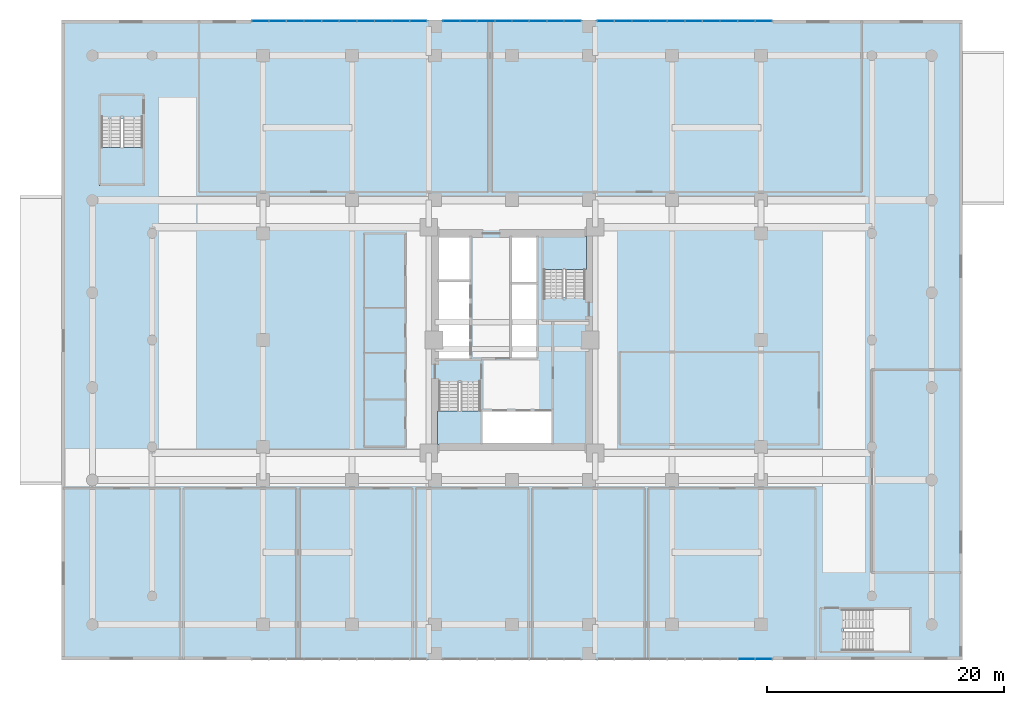
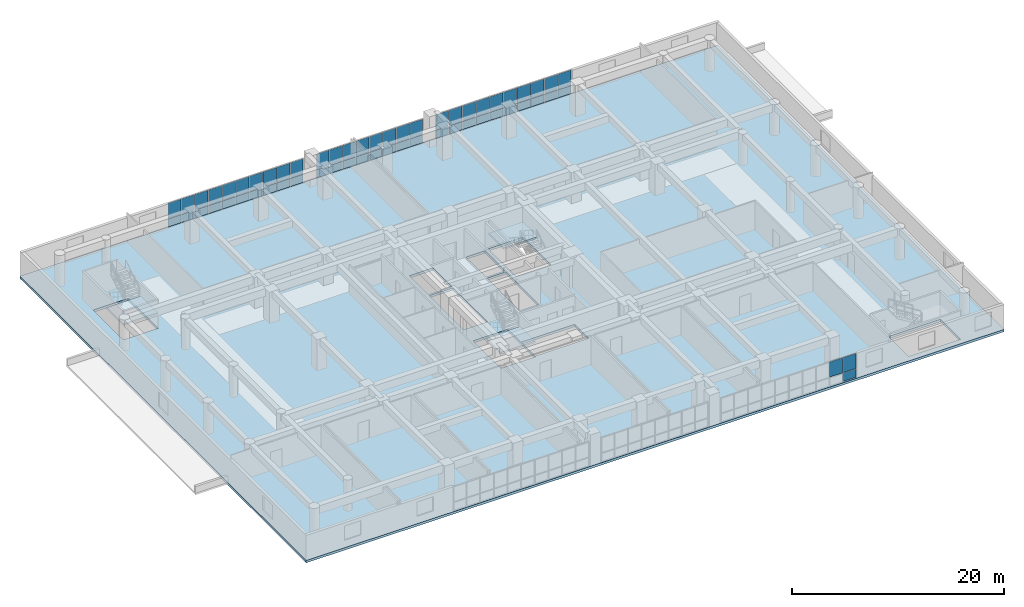
# One storey, part 13 of 27: 59 plates, 4 slabs, 7 elements without a shape of their own.
"""IFC4 building model written with IfcOpenShell, lengths in metres."""

from ifc_helpers import new_model, si_unit, direction, frame, origin, origin_2d, place, context, subcontext, project, spatial, polyline, rectangle, outline, extrude, source, transform, mapped, material, layer, layer_set, type_object, element, aggregate, save


model = new_model("IFC4")

# Units and contexts
model_context = context("Model", 3, precision=1e-05, world=origin(), true_north=direction((0.0, 1.0)))
body_context = subcontext(model_context, "Body", "Model", "MODEL_VIEW")
ifc_project = project(units=[si_unit("LENGTHUNIT", "METRE"), si_unit("AREAUNIT", "SQUARE_METRE"), si_unit("VOLUMEUNIT", "CUBIC_METRE"), si_unit("PLANEANGLEUNIT", "RADIAN"), si_unit("MASSUNIT", "GRAM", prefix="KILO")], contexts=[model_context])

# Site, building, storey
site_placement = place(None, origin())
site = spatial("IfcSite", under=ifc_project, at=site_placement, CompositionType="ELEMENT")
building_placement = place(site_placement, origin())
building = spatial("IfcBuilding", under=site, at=building_placement, Name="Saelheon Loggia Tower", CompositionType="ELEMENT")
storey_placement = place(building_placement, frame((0.0, 0.0, 4.199951171875)))
storey = spatial("IfcBuildingStorey", under=building, at=storey_placement, Name="L01", CompositionType="ELEMENT", Elevation=4.199951171875)

# Slab
ifc_material_1 = material(Name="Concrete C40/50", Category="concrete")
ifc_layer_1 = layer(ifc_material_1, 0.280029296875)
ifc_layer_set_1 = layer_set([ifc_layer_1], Name="Concrete C40/50")
slab_type_1 = type_object("IfcSlabType", Name="Slab_Podium_280", PredefinedType="FLOOR", material=ifc_layer_set_1)
slab_1_placement = place(storey_placement, frame((0.0, 0.0, -0.280029296875)))
element("IfcSlab", 1, at=slab_1_placement, inside=storey, type_object=slab_type_1, Name="L01 Podium Clinic Floor Slab", PredefinedType="FLOOR", context=body_context, shape_type="SweptSolid", body=[
    extrude(outline(polyline([(0.0, 0.0), (76.0, 0.0), (76.0, 54.0), (0.0, 54.0), (0.0, 0.0)]), holes=[polyline([(31.699951171875, 23.409912109375), (31.699951171875, 18.199951171875), (35.47998046875, 18.199951171875), (35.47998046875, 23.409912109375), (31.699951171875, 23.409912109375)]), polyline([(44.300048828125, 30.590087890625), (44.300048828125, 35.800048828125), (40.52001953125, 35.800048828125), (40.52001953125, 30.590087890625), (44.300048828125, 30.590087890625)]), polyline([(3.199951171875, 45.7099609375), (3.199951171875, 40.050048828125), (6.97998046875, 40.050048828125), (6.97998046875, 45.7099609375), (3.199951171875, 45.7099609375)]), polyline([(65.989990234375, 0.64990234375), (71.64990234375, 0.64990234375), (71.64990234375, 4.429931640625), (65.989990234375, 4.429931640625), (65.989990234375, 0.64990234375)]), polyline([(35.530029296875, 18.324951171875), (41.35009765625, 18.324951171875), (41.35009765625, 20.9599609375), (35.530029296875, 20.9599609375), (35.530029296875, 18.324951171875)]), polyline([(31.824951171875, 32.1201171875), (34.419921875, 32.1201171875), (34.419921875, 35.675048828125), (31.824951171875, 35.675048828125), (31.824951171875, 32.1201171875)]), polyline([(38.0, 31.89990234375), (40.050048828125, 31.89990234375), (40.050048828125, 35.675048828125), (38.0, 35.675048828125), (38.0, 31.89990234375)]), polyline([(31.824951171875, 25.449951171875), (34.419921875, 25.449951171875), (34.419921875, 31.919921875), (31.824951171875, 31.919921875), (31.824951171875, 25.449951171875)]), polyline([(38.0, 25.5400390625), (40.050048828125, 25.5400390625), (40.050048828125, 31.699951171875), (38.0, 31.699951171875), (38.0, 25.5400390625)])]), origin(), (0.0, 0.0, 1.0), 0.280029296875),
])

# Stair, slab
stair_type_1 = type_object("IfcStairType", Name="Stair_Escape_Core", PredefinedType="HALF_TURN_STAIR", material=ifc_material_1)
stair_1_placement = place(storey_placement, origin())
stair_1 = element("IfcStair", 2, at=stair_1_placement, inside=storey, type_object=stair_type_1, Name="L01 Special Escape Stair ST1", PredefinedType="HALF_TURN_STAIR")
ifc_layer_2 = layer(ifc_material_1, 0.199951171875)
ifc_layer_set_2 = layer_set([ifc_layer_2], Name="Concrete C40/50")
slab_type_2 = type_object("IfcSlabType", Name="Slab_StairLanding_ST1", PredefinedType="LANDING", material=ifc_layer_set_2)
slab_2_placement = place(storey_placement, frame((0.0, 0.0, 1.60009765625)))
slab_2 = element("IfcSlab", 3, at=slab_2_placement, type_object=slab_type_2, Name="ST1 landing 1", PredefinedType="LANDING", context=body_context, shape_type="SweptSolid", body=[
    extrude(outline(polyline([(31.7099609375, 21.030029296875), (31.7099609375, 18.2099609375), (35.469970703125, 18.2099609375), (35.469970703125, 21.030029296875), (31.7099609375, 21.030029296875)])), origin(), (0.0, 0.0, 1.0), 0.199951171875),
])
aggregate(stair_1, [slab_2])

stair_2_placement = place(storey_placement, origin())
stair_2 = element("IfcStair", 4, at=stair_2_placement, inside=storey, type_object=stair_type_1, Name="L01 Special Escape Stair ST2", PredefinedType="HALF_TURN_STAIR")
ifc_layer_3 = layer(ifc_material_1, 0.199951171875)
ifc_layer_set_3 = layer_set([ifc_layer_3], Name="Concrete C40/50")
slab_type_3 = type_object("IfcSlabType", Name="Slab_StairLanding_ST2", PredefinedType="LANDING", material=ifc_layer_set_3)
slab_3_placement = place(storey_placement, frame((0.0, 0.0, 1.60009765625)))
slab_3 = element("IfcSlab", 5, at=slab_3_placement, type_object=slab_type_3, Name="ST2 landing 1", PredefinedType="LANDING", context=body_context, shape_type="SweptSolid", body=[
    extrude(outline(polyline([(44.2900390625, 32.969970703125), (44.2900390625, 35.7900390625), (40.530029296875, 35.7900390625), (40.530029296875, 32.969970703125), (44.2900390625, 32.969970703125)])), origin(), (0.0, 0.0, 1.0), 0.199951171875),
])
aggregate(stair_2, [slab_3])

stair_type_2 = type_object("IfcStairType", Name="Stair_Escape_Podium", PredefinedType="HALF_TURN_STAIR", material=ifc_material_1)
stair_3_placement = place(storey_placement, origin())
stair_3 = element("IfcStair", 6, at=stair_3_placement, inside=storey, type_object=stair_type_2, Name="L01 Podium Escape Stair ST3", PredefinedType="HALF_TURN_STAIR")
ifc_layer_4 = layer(ifc_material_1, 0.199951171875)
ifc_layer_set_4 = layer_set([ifc_layer_4], Name="Concrete C40/50")
slab_type_4 = type_object("IfcSlabType", Name="Slab_StairLanding_ST3", PredefinedType="LANDING", material=ifc_layer_set_4)
slab_4_placement = place(storey_placement, frame((0.0, 0.0, 1.60009765625)))
slab_4 = element("IfcSlab", 7, at=slab_4_placement, type_object=slab_type_4, Name="ST3 landing 1", PredefinedType="LANDING", context=body_context, shape_type="SweptSolid", body=[
    extrude(outline(polyline([(3.2099609375, 43.239990234375), (3.2099609375, 40.06005859375), (6.969970703125, 40.06005859375), (6.969970703125, 43.239990234375), (3.2099609375, 43.239990234375)])), origin(), (0.0, 0.0, 1.0), 0.199951171875),
])
aggregate(stair_3, [slab_4])

# Curtain wall, plate
ifc_material_2 = material(Name="Aluminium 6063-T6 and Low-E IGU", Category="aluminium")
ifc_layer_5 = layer(ifc_material_2, 0.179931640625)
ifc_layer_set_5 = layer_set([ifc_layer_5], Name="Aluminium 6063-T6 and Low-E IGU")
curtain_wall_type = type_object("IfcCurtainWallType", Name="CW_PodiumClinic", PredefinedType="NOTDEFINED", material=ifc_layer_set_5)
curtain_wall_1_placement = place(storey_placement, origin())
curtain_wall_1 = element("IfcCurtainWall", 8, at=curtain_wall_1_placement, inside=storey, type_object=curtain_wall_type, Name="L01 South Clinic Curtain Wall 3", PredefinedType="NOTDEFINED")
ifc_material_3 = material(Name="Triple Low-E Laminated Glazing", Category="glass")
ifc_layer_6 = layer(ifc_material_3, 0.031982421875)
ifc_layer_set_6 = layer_set([ifc_layer_6], Name="Triple Low-E Laminated Glazing")
plate_type = type_object("IfcPlateType", Name="CW_PodiumClinic_Panel", PredefinedType="CURTAIN_PANEL", material=ifc_layer_set_6)
shared_shape_1 = source(origin(), body_context, "Body", "SweptSolid", [
    extrude(rectangle(XDim=1.3798828125, YDim=0.031982421875, at=origin_2d()), origin(), (0.0, 0.0, 1.0), 0.945068359375),
])
plate_1_placement = place(storey_placement, frame((59.239990234375, 0.10009765625, 0.06982421875), z_axis=(0.0, 0.0, 1.0), x_axis=(1.0, 0.0, 0.0)))
plate_1 = element("IfcPlate", 9, at=plate_1_placement, type_object=plate_type, Name="CW1 panel 10.1", PredefinedType="CURTAIN_PANEL", context=body_context, shape_type="MappedRepresentation", body=[
    mapped(shared_shape_1, transform((0.0, 0.0, 0.0), scale=1.0)),
])

# Curtain wall, plates
curtain_wall_2_placement = place(storey_placement, origin())
curtain_wall_2 = element("IfcCurtainWall", 10, at=curtain_wall_2_placement, inside=storey, type_object=curtain_wall_type, Name="L01 North Clinic Curtain Wall 1", PredefinedType="NOTDEFINED")
plate_2_placement = place(storey_placement, frame((16.760009765625, 53.89990234375, 0.06982421875), z_axis=(0.0, 0.0, 1.0), x_axis=(1.0, 0.0, 0.0)))
plate_2 = element("IfcPlate", 11, at=plate_2_placement, type_object=plate_type, Name="CW1 panel 1.1", PredefinedType="CURTAIN_PANEL", context=body_context, shape_type="MappedRepresentation", body=[
    mapped(shared_shape_1, transform((0.0, 0.0, 0.0), scale=1.0)),
])
plate_3_placement = place(storey_placement, frame((30.090087890625, 53.89990234375, 0.06982421875), z_axis=(0.0, 0.0, 1.0), x_axis=(1.0, 0.0, 0.0)))
plate_3 = element("IfcPlate", 12, at=plate_3_placement, type_object=plate_type, Name="CW1 panel 10.1", PredefinedType="CURTAIN_PANEL", context=body_context, shape_type="MappedRepresentation", body=[
    mapped(shared_shape_1, transform((0.0, 0.0, 0.0), scale=1.0)),
])

curtain_wall_3_placement = place(storey_placement, origin())
curtain_wall_3 = element("IfcCurtainWall", 13, at=curtain_wall_3_placement, inside=storey, type_object=curtain_wall_type, Name="L01 North Clinic Curtain Wall 3", PredefinedType="NOTDEFINED")
plate_4_placement = place(storey_placement, frame((45.909912109375, 53.89990234375, 0.06982421875), z_axis=(0.0, 0.0, 1.0), x_axis=(1.0, 0.0, 0.0)))
plate_4 = element("IfcPlate", 14, at=plate_4_placement, type_object=plate_type, Name="CW1 panel 1.1", PredefinedType="CURTAIN_PANEL", context=body_context, shape_type="MappedRepresentation", body=[
    mapped(shared_shape_1, transform((0.0, 0.0, 0.0), scale=1.0)),
])
plate_5_placement = place(storey_placement, frame((59.239990234375, 53.89990234375, 0.06982421875), z_axis=(0.0, 0.0, 1.0), x_axis=(1.0, 0.0, 0.0)))
plate_5 = element("IfcPlate", 15, at=plate_5_placement, type_object=plate_type, Name="CW1 panel 10.1", PredefinedType="CURTAIN_PANEL", context=body_context, shape_type="MappedRepresentation", body=[
    mapped(shared_shape_1, transform((0.0, 0.0, 0.0), scale=1.0)),
])

# Plate
shared_shape_2 = source(origin(), body_context, "Body", "SweptSolid", [
    extrude(rectangle(XDim=1.3798828125, YDim=0.031982421875, at=origin_2d()), origin(), (0.0, 0.0, 1.0), 1.72509765625),
])
plate_6_placement = place(storey_placement, frame((59.239990234375, 0.10009765625, 1.0849609375), z_axis=(0.0, 0.0, 1.0), x_axis=(1.0, 0.0, 0.0)))
plate_6 = element("IfcPlate", 16, at=plate_6_placement, type_object=plate_type, Name="CW1 panel 10.2", PredefinedType="CURTAIN_PANEL", context=body_context, shape_type="MappedRepresentation", body=[
    mapped(shared_shape_2, transform((0.0, 0.0, 0.0), scale=1.0)),
])

plate_7_placement = place(storey_placement, frame((16.760009765625, 53.89990234375, 1.0849609375), z_axis=(0.0, 0.0, 1.0), x_axis=(1.0, 0.0, 0.0)))
plate_7 = element("IfcPlate", 17, at=plate_7_placement, type_object=plate_type, Name="CW1 panel 1.2", PredefinedType="CURTAIN_PANEL", context=body_context, shape_type="MappedRepresentation", body=[
    mapped(shared_shape_2, transform((0.0, 0.0, 0.0), scale=1.0)),
])

plate_8_placement = place(storey_placement, frame((30.090087890625, 53.89990234375, 1.0849609375), z_axis=(0.0, 0.0, 1.0), x_axis=(1.0, 0.0, 0.0)))
plate_8 = element("IfcPlate", 18, at=plate_8_placement, type_object=plate_type, Name="CW1 panel 10.2", PredefinedType="CURTAIN_PANEL", context=body_context, shape_type="MappedRepresentation", body=[
    mapped(shared_shape_2, transform((0.0, 0.0, 0.0), scale=1.0)),
])

plate_9_placement = place(storey_placement, frame((45.909912109375, 53.89990234375, 1.0849609375), z_axis=(0.0, 0.0, 1.0), x_axis=(1.0, 0.0, 0.0)))
plate_9 = element("IfcPlate", 19, at=plate_9_placement, type_object=plate_type, Name="CW1 panel 1.2", PredefinedType="CURTAIN_PANEL", context=body_context, shape_type="MappedRepresentation", body=[
    mapped(shared_shape_2, transform((0.0, 0.0, 0.0), scale=1.0)),
])

plate_10_placement = place(storey_placement, frame((59.239990234375, 53.89990234375, 1.0849609375), z_axis=(0.0, 0.0, 1.0), x_axis=(1.0, 0.0, 0.0)))
plate_10 = element("IfcPlate", 20, at=plate_10_placement, type_object=plate_type, Name="CW1 panel 10.2", PredefinedType="CURTAIN_PANEL", context=body_context, shape_type="MappedRepresentation", body=[
    mapped(shared_shape_2, transform((0.0, 0.0, 0.0), scale=1.0)),
])

shared_shape_3 = source(origin(), body_context, "Body", "SweptSolid", [
    extrude(rectangle(XDim=1.4150390625, YDim=0.031982421875, at=origin_2d()), origin(), (0.0, 0.0, 1.0), 0.945068359375),
])
plate_11_placement = place(storey_placement, frame((18.2275390625, 53.89990234375, 0.06982421875), z_axis=(0.0, 0.0, 1.0), x_axis=(1.0, 0.0, 0.0)))
plate_11 = element("IfcPlate", 21, at=plate_11_placement, type_object=plate_type, Name="CW1 panel 2.1", PredefinedType="CURTAIN_PANEL", context=body_context, shape_type="MappedRepresentation", body=[
    mapped(shared_shape_3, transform((0.0, 0.0, 0.0), scale=1.0)),
])

plate_12_placement = place(storey_placement, frame((19.71240234375, 53.89990234375, 0.06982421875), z_axis=(0.0, 0.0, 1.0), x_axis=(1.0, 0.0, 0.0)))
plate_12 = element("IfcPlate", 22, at=plate_12_placement, type_object=plate_type, Name="CW1 panel 3.1", PredefinedType="CURTAIN_PANEL", context=body_context, shape_type="MappedRepresentation", body=[
    mapped(shared_shape_3, transform((0.0, 0.0, 0.0), scale=1.0)),
])

plate_13_placement = place(storey_placement, frame((21.197509765625, 53.89990234375, 0.06982421875), z_axis=(0.0, 0.0, 1.0), x_axis=(1.0, 0.0, 0.0)))
plate_13 = element("IfcPlate", 23, at=plate_13_placement, type_object=plate_type, Name="CW1 panel 4.1", PredefinedType="CURTAIN_PANEL", context=body_context, shape_type="MappedRepresentation", body=[
    mapped(shared_shape_3, transform((0.0, 0.0, 0.0), scale=1.0)),
])

plate_14_placement = place(storey_placement, frame((22.6826171875, 53.89990234375, 0.06982421875), z_axis=(0.0, 0.0, 1.0), x_axis=(1.0, 0.0, 0.0)))
plate_14 = element("IfcPlate", 24, at=plate_14_placement, type_object=plate_type, Name="CW1 panel 5.1", PredefinedType="CURTAIN_PANEL", context=body_context, shape_type="MappedRepresentation", body=[
    mapped(shared_shape_3, transform((0.0, 0.0, 0.0), scale=1.0)),
])

plate_15_placement = place(storey_placement, frame((24.16748046875, 53.89990234375, 0.06982421875), z_axis=(0.0, 0.0, 1.0), x_axis=(1.0, 0.0, 0.0)))
plate_15 = element("IfcPlate", 25, at=plate_15_placement, type_object=plate_type, Name="CW1 panel 6.1", PredefinedType="CURTAIN_PANEL", context=body_context, shape_type="MappedRepresentation", body=[
    mapped(shared_shape_3, transform((0.0, 0.0, 0.0), scale=1.0)),
])

plate_16_placement = place(storey_placement, frame((25.652587890625, 53.89990234375, 0.06982421875), z_axis=(0.0, 0.0, 1.0), x_axis=(1.0, 0.0, 0.0)))
plate_16 = element("IfcPlate", 26, at=plate_16_placement, type_object=plate_type, Name="CW1 panel 7.1", PredefinedType="CURTAIN_PANEL", context=body_context, shape_type="MappedRepresentation", body=[
    mapped(shared_shape_3, transform((0.0, 0.0, 0.0), scale=1.0)),
])

plate_17_placement = place(storey_placement, frame((27.137451171875, 53.89990234375, 0.06982421875), z_axis=(0.0, 0.0, 1.0), x_axis=(1.0, 0.0, 0.0)))
plate_17 = element("IfcPlate", 27, at=plate_17_placement, type_object=plate_type, Name="CW1 panel 8.1", PredefinedType="CURTAIN_PANEL", context=body_context, shape_type="MappedRepresentation", body=[
    mapped(shared_shape_3, transform((0.0, 0.0, 0.0), scale=1.0)),
])

plate_18_placement = place(storey_placement, frame((28.62255859375, 53.89990234375, 0.06982421875), z_axis=(0.0, 0.0, 1.0), x_axis=(1.0, 0.0, 0.0)))
plate_18 = element("IfcPlate", 28, at=plate_18_placement, type_object=plate_type, Name="CW1 panel 9.1", PredefinedType="CURTAIN_PANEL", context=body_context, shape_type="MappedRepresentation", body=[
    mapped(shared_shape_3, transform((0.0, 0.0, 0.0), scale=1.0)),
])

plate_19_placement = place(storey_placement, frame((47.37744140625, 53.89990234375, 0.06982421875), z_axis=(0.0, 0.0, 1.0), x_axis=(1.0, 0.0, 0.0)))
plate_19 = element("IfcPlate", 29, at=plate_19_placement, type_object=plate_type, Name="CW1 panel 2.1", PredefinedType="CURTAIN_PANEL", context=body_context, shape_type="MappedRepresentation", body=[
    mapped(shared_shape_3, transform((0.0, 0.0, 0.0), scale=1.0)),
])

plate_20_placement = place(storey_placement, frame((48.862548828125, 53.89990234375, 0.06982421875), z_axis=(0.0, 0.0, 1.0), x_axis=(1.0, 0.0, 0.0)))
plate_20 = element("IfcPlate", 30, at=plate_20_placement, type_object=plate_type, Name="CW1 panel 3.1", PredefinedType="CURTAIN_PANEL", context=body_context, shape_type="MappedRepresentation", body=[
    mapped(shared_shape_3, transform((0.0, 0.0, 0.0), scale=1.0)),
])

plate_21_placement = place(storey_placement, frame((50.347412109375, 53.89990234375, 0.06982421875), z_axis=(0.0, 0.0, 1.0), x_axis=(1.0, 0.0, 0.0)))
plate_21 = element("IfcPlate", 31, at=plate_21_placement, type_object=plate_type, Name="CW1 panel 4.1", PredefinedType="CURTAIN_PANEL", context=body_context, shape_type="MappedRepresentation", body=[
    mapped(shared_shape_3, transform((0.0, 0.0, 0.0), scale=1.0)),
])

plate_22_placement = place(storey_placement, frame((51.83251953125, 53.89990234375, 0.06982421875), z_axis=(0.0, 0.0, 1.0), x_axis=(1.0, 0.0, 0.0)))
plate_22 = element("IfcPlate", 32, at=plate_22_placement, type_object=plate_type, Name="CW1 panel 5.1", PredefinedType="CURTAIN_PANEL", context=body_context, shape_type="MappedRepresentation", body=[
    mapped(shared_shape_3, transform((0.0, 0.0, 0.0), scale=1.0)),
])

plate_23_placement = place(storey_placement, frame((53.3173828125, 53.89990234375, 0.06982421875), z_axis=(0.0, 0.0, 1.0), x_axis=(1.0, 0.0, 0.0)))
plate_23 = element("IfcPlate", 33, at=plate_23_placement, type_object=plate_type, Name="CW1 panel 6.1", PredefinedType="CURTAIN_PANEL", context=body_context, shape_type="MappedRepresentation", body=[
    mapped(shared_shape_3, transform((0.0, 0.0, 0.0), scale=1.0)),
])

plate_24_placement = place(storey_placement, frame((54.802490234375, 53.89990234375, 0.06982421875), z_axis=(0.0, 0.0, 1.0), x_axis=(1.0, 0.0, 0.0)))
plate_24 = element("IfcPlate", 34, at=plate_24_placement, type_object=plate_type, Name="CW1 panel 7.1", PredefinedType="CURTAIN_PANEL", context=body_context, shape_type="MappedRepresentation", body=[
    mapped(shared_shape_3, transform((0.0, 0.0, 0.0), scale=1.0)),
])

plate_25_placement = place(storey_placement, frame((56.28759765625, 53.89990234375, 0.06982421875), z_axis=(0.0, 0.0, 1.0), x_axis=(1.0, 0.0, 0.0)))
plate_25 = element("IfcPlate", 35, at=plate_25_placement, type_object=plate_type, Name="CW1 panel 8.1", PredefinedType="CURTAIN_PANEL", context=body_context, shape_type="MappedRepresentation", body=[
    mapped(shared_shape_3, transform((0.0, 0.0, 0.0), scale=1.0)),
])

plate_26_placement = place(storey_placement, frame((57.7724609375, 53.89990234375, 0.06982421875), z_axis=(0.0, 0.0, 1.0), x_axis=(1.0, 0.0, 0.0)))
plate_26 = element("IfcPlate", 36, at=plate_26_placement, type_object=plate_type, Name="CW1 panel 9.1", PredefinedType="CURTAIN_PANEL", context=body_context, shape_type="MappedRepresentation", body=[
    mapped(shared_shape_3, transform((0.0, 0.0, 0.0), scale=1.0)),
])

shared_shape_4 = source(origin(), body_context, "Body", "SweptSolid", [
    extrude(rectangle(XDim=1.4150390625, YDim=0.031982421875, at=origin_2d()), origin(), (0.0, 0.0, 1.0), 1.72509765625),
])
plate_27_placement = place(storey_placement, frame((57.7724609375, 0.10009765625, 1.0849609375), z_axis=(0.0, 0.0, 1.0), x_axis=(1.0, 0.0, 0.0)))
plate_27 = element("IfcPlate", 37, at=plate_27_placement, type_object=plate_type, Name="CW1 panel 9.2", PredefinedType="CURTAIN_PANEL", context=body_context, shape_type="MappedRepresentation", body=[
    mapped(shared_shape_4, transform((0.0, 0.0, 0.0), scale=1.0)),
])

aggregate(curtain_wall_1, [plate_27, plate_1, plate_6])

plate_28_placement = place(storey_placement, frame((18.2275390625, 53.89990234375, 1.0849609375), z_axis=(0.0, 0.0, 1.0), x_axis=(1.0, 0.0, 0.0)))
plate_28 = element("IfcPlate", 38, at=plate_28_placement, type_object=plate_type, Name="CW1 panel 2.2", PredefinedType="CURTAIN_PANEL", context=body_context, shape_type="MappedRepresentation", body=[
    mapped(shared_shape_4, transform((0.0, 0.0, 0.0), scale=1.0)),
])

plate_29_placement = place(storey_placement, frame((19.71240234375, 53.89990234375, 1.0849609375), z_axis=(0.0, 0.0, 1.0), x_axis=(1.0, 0.0, 0.0)))
plate_29 = element("IfcPlate", 39, at=plate_29_placement, type_object=plate_type, Name="CW1 panel 3.2", PredefinedType="CURTAIN_PANEL", context=body_context, shape_type="MappedRepresentation", body=[
    mapped(shared_shape_4, transform((0.0, 0.0, 0.0), scale=1.0)),
])

plate_30_placement = place(storey_placement, frame((21.197509765625, 53.89990234375, 1.0849609375), z_axis=(0.0, 0.0, 1.0), x_axis=(1.0, 0.0, 0.0)))
plate_30 = element("IfcPlate", 40, at=plate_30_placement, type_object=plate_type, Name="CW1 panel 4.2", PredefinedType="CURTAIN_PANEL", context=body_context, shape_type="MappedRepresentation", body=[
    mapped(shared_shape_4, transform((0.0, 0.0, 0.0), scale=1.0)),
])

plate_31_placement = place(storey_placement, frame((22.6826171875, 53.89990234375, 1.0849609375), z_axis=(0.0, 0.0, 1.0), x_axis=(1.0, 0.0, 0.0)))
plate_31 = element("IfcPlate", 41, at=plate_31_placement, type_object=plate_type, Name="CW1 panel 5.2", PredefinedType="CURTAIN_PANEL", context=body_context, shape_type="MappedRepresentation", body=[
    mapped(shared_shape_4, transform((0.0, 0.0, 0.0), scale=1.0)),
])

plate_32_placement = place(storey_placement, frame((24.16748046875, 53.89990234375, 1.0849609375), z_axis=(0.0, 0.0, 1.0), x_axis=(1.0, 0.0, 0.0)))
plate_32 = element("IfcPlate", 42, at=plate_32_placement, type_object=plate_type, Name="CW1 panel 6.2", PredefinedType="CURTAIN_PANEL", context=body_context, shape_type="MappedRepresentation", body=[
    mapped(shared_shape_4, transform((0.0, 0.0, 0.0), scale=1.0)),
])

plate_33_placement = place(storey_placement, frame((25.652587890625, 53.89990234375, 1.0849609375), z_axis=(0.0, 0.0, 1.0), x_axis=(1.0, 0.0, 0.0)))
plate_33 = element("IfcPlate", 43, at=plate_33_placement, type_object=plate_type, Name="CW1 panel 7.2", PredefinedType="CURTAIN_PANEL", context=body_context, shape_type="MappedRepresentation", body=[
    mapped(shared_shape_4, transform((0.0, 0.0, 0.0), scale=1.0)),
])

plate_34_placement = place(storey_placement, frame((27.137451171875, 53.89990234375, 1.0849609375), z_axis=(0.0, 0.0, 1.0), x_axis=(1.0, 0.0, 0.0)))
plate_34 = element("IfcPlate", 44, at=plate_34_placement, type_object=plate_type, Name="CW1 panel 8.2", PredefinedType="CURTAIN_PANEL", context=body_context, shape_type="MappedRepresentation", body=[
    mapped(shared_shape_4, transform((0.0, 0.0, 0.0), scale=1.0)),
])

plate_35_placement = place(storey_placement, frame((28.62255859375, 53.89990234375, 1.0849609375), z_axis=(0.0, 0.0, 1.0), x_axis=(1.0, 0.0, 0.0)))
plate_35 = element("IfcPlate", 45, at=plate_35_placement, type_object=plate_type, Name="CW1 panel 9.2", PredefinedType="CURTAIN_PANEL", context=body_context, shape_type="MappedRepresentation", body=[
    mapped(shared_shape_4, transform((0.0, 0.0, 0.0), scale=1.0)),
])

aggregate(curtain_wall_2, [plate_2, plate_7, plate_11, plate_28, plate_12, plate_29, plate_13, plate_30, plate_14, plate_31, plate_15, plate_32, plate_16, plate_33, plate_17, plate_34, plate_18, plate_35, plate_3, plate_8])

plate_36_placement = place(storey_placement, frame((47.37744140625, 53.89990234375, 1.0849609375), z_axis=(0.0, 0.0, 1.0), x_axis=(1.0, 0.0, 0.0)))
plate_36 = element("IfcPlate", 46, at=plate_36_placement, type_object=plate_type, Name="CW1 panel 2.2", PredefinedType="CURTAIN_PANEL", context=body_context, shape_type="MappedRepresentation", body=[
    mapped(shared_shape_4, transform((0.0, 0.0, 0.0), scale=1.0)),
])

plate_37_placement = place(storey_placement, frame((48.862548828125, 53.89990234375, 1.0849609375), z_axis=(0.0, 0.0, 1.0), x_axis=(1.0, 0.0, 0.0)))
plate_37 = element("IfcPlate", 47, at=plate_37_placement, type_object=plate_type, Name="CW1 panel 3.2", PredefinedType="CURTAIN_PANEL", context=body_context, shape_type="MappedRepresentation", body=[
    mapped(shared_shape_4, transform((0.0, 0.0, 0.0), scale=1.0)),
])

plate_38_placement = place(storey_placement, frame((50.347412109375, 53.89990234375, 1.0849609375), z_axis=(0.0, 0.0, 1.0), x_axis=(1.0, 0.0, 0.0)))
plate_38 = element("IfcPlate", 48, at=plate_38_placement, type_object=plate_type, Name="CW1 panel 4.2", PredefinedType="CURTAIN_PANEL", context=body_context, shape_type="MappedRepresentation", body=[
    mapped(shared_shape_4, transform((0.0, 0.0, 0.0), scale=1.0)),
])

plate_39_placement = place(storey_placement, frame((51.83251953125, 53.89990234375, 1.0849609375), z_axis=(0.0, 0.0, 1.0), x_axis=(1.0, 0.0, 0.0)))
plate_39 = element("IfcPlate", 49, at=plate_39_placement, type_object=plate_type, Name="CW1 panel 5.2", PredefinedType="CURTAIN_PANEL", context=body_context, shape_type="MappedRepresentation", body=[
    mapped(shared_shape_4, transform((0.0, 0.0, 0.0), scale=1.0)),
])

plate_40_placement = place(storey_placement, frame((53.3173828125, 53.89990234375, 1.0849609375), z_axis=(0.0, 0.0, 1.0), x_axis=(1.0, 0.0, 0.0)))
plate_40 = element("IfcPlate", 50, at=plate_40_placement, type_object=plate_type, Name="CW1 panel 6.2", PredefinedType="CURTAIN_PANEL", context=body_context, shape_type="MappedRepresentation", body=[
    mapped(shared_shape_4, transform((0.0, 0.0, 0.0), scale=1.0)),
])

plate_41_placement = place(storey_placement, frame((54.802490234375, 53.89990234375, 1.0849609375), z_axis=(0.0, 0.0, 1.0), x_axis=(1.0, 0.0, 0.0)))
plate_41 = element("IfcPlate", 51, at=plate_41_placement, type_object=plate_type, Name="CW1 panel 7.2", PredefinedType="CURTAIN_PANEL", context=body_context, shape_type="MappedRepresentation", body=[
    mapped(shared_shape_4, transform((0.0, 0.0, 0.0), scale=1.0)),
])

plate_42_placement = place(storey_placement, frame((56.28759765625, 53.89990234375, 1.0849609375), z_axis=(0.0, 0.0, 1.0), x_axis=(1.0, 0.0, 0.0)))
plate_42 = element("IfcPlate", 52, at=plate_42_placement, type_object=plate_type, Name="CW1 panel 8.2", PredefinedType="CURTAIN_PANEL", context=body_context, shape_type="MappedRepresentation", body=[
    mapped(shared_shape_4, transform((0.0, 0.0, 0.0), scale=1.0)),
])

plate_43_placement = place(storey_placement, frame((57.7724609375, 53.89990234375, 1.0849609375), z_axis=(0.0, 0.0, 1.0), x_axis=(1.0, 0.0, 0.0)))
plate_43 = element("IfcPlate", 53, at=plate_43_placement, type_object=plate_type, Name="CW1 panel 9.2", PredefinedType="CURTAIN_PANEL", context=body_context, shape_type="MappedRepresentation", body=[
    mapped(shared_shape_4, transform((0.0, 0.0, 0.0), scale=1.0)),
])

aggregate(curtain_wall_3, [plate_4, plate_9, plate_19, plate_36, plate_20, plate_37, plate_21, plate_38, plate_22, plate_39, plate_23, plate_40, plate_24, plate_41, plate_25, plate_42, plate_26, plate_43, plate_5, plate_10])

# Curtain wall, plates
curtain_wall_4_placement = place(storey_placement, origin())
curtain_wall_4 = element("IfcCurtainWall", 54, at=curtain_wall_4_placement, inside=storey, type_object=curtain_wall_type, Name="L01 North Clinic Curtain Wall 2", PredefinedType="NOTDEFINED")
shared_shape_5 = source(origin(), body_context, "Body", "SweptSolid", [
    extrude(rectangle(XDim=1.357421875, YDim=0.031982421875, at=origin_2d()), origin(), (0.0, 0.0, 1.0), 0.945068359375),
])
plate_44_placement = place(storey_placement, frame((32.898681640625, 53.89990234375, 0.06982421875), z_axis=(0.0, 0.0, 1.0), x_axis=(1.0, 0.0, 0.0)))
plate_44 = element("IfcPlate", 55, at=plate_44_placement, type_object=plate_type, Name="CW1 panel 1.1", PredefinedType="CURTAIN_PANEL", context=body_context, shape_type="MappedRepresentation", body=[
    mapped(shared_shape_5, transform((0.0, 0.0, 0.0), scale=1.0)),
])
plate_45_placement = place(storey_placement, frame((43.101318359375, 53.89990234375, 0.06982421875), z_axis=(0.0, 0.0, 1.0), x_axis=(1.0, 0.0, 0.0)))
plate_45 = element("IfcPlate", 56, at=plate_45_placement, type_object=plate_type, Name="CW1 panel 8.1", PredefinedType="CURTAIN_PANEL", context=body_context, shape_type="MappedRepresentation", body=[
    mapped(shared_shape_5, transform((0.0, 0.0, 0.0), scale=1.0)),
])
shared_shape_6 = source(origin(), body_context, "Body", "SweptSolid", [
    extrude(rectangle(XDim=1.357421875, YDim=0.031982421875, at=origin_2d()), origin(), (0.0, 0.0, 1.0), 1.72509765625),
])
plate_46_placement = place(storey_placement, frame((32.898681640625, 53.89990234375, 1.0849609375), z_axis=(0.0, 0.0, 1.0), x_axis=(1.0, 0.0, 0.0)))
plate_46 = element("IfcPlate", 57, at=plate_46_placement, type_object=plate_type, Name="CW1 panel 1.2", PredefinedType="CURTAIN_PANEL", context=body_context, shape_type="MappedRepresentation", body=[
    mapped(shared_shape_6, transform((0.0, 0.0, 0.0), scale=1.0)),
])
plate_47_placement = place(storey_placement, frame((43.101318359375, 53.89990234375, 1.0849609375), z_axis=(0.0, 0.0, 1.0), x_axis=(1.0, 0.0, 0.0)))
plate_47 = element("IfcPlate", 58, at=plate_47_placement, type_object=plate_type, Name="CW1 panel 8.2", PredefinedType="CURTAIN_PANEL", context=body_context, shape_type="MappedRepresentation", body=[
    mapped(shared_shape_6, transform((0.0, 0.0, 0.0), scale=1.0)),
])
shared_shape_7 = source(origin(), body_context, "Body", "SweptSolid", [
    extrude(rectangle(XDim=1.392578125, YDim=0.031982421875, at=origin_2d()), origin(), (0.0, 0.0, 1.0), 0.945068359375),
])
plate_48_placement = place(storey_placement, frame((34.34375, 53.89990234375, 0.06982421875), z_axis=(0.0, 0.0, 1.0), x_axis=(1.0, 0.0, 0.0)))
plate_48 = element("IfcPlate", 59, at=plate_48_placement, type_object=plate_type, Name="CW1 panel 2.1", PredefinedType="CURTAIN_PANEL", context=body_context, shape_type="MappedRepresentation", body=[
    mapped(shared_shape_7, transform((0.0, 0.0, 0.0), scale=1.0)),
])
plate_49_placement = place(storey_placement, frame((35.80615234375, 53.89990234375, 0.06982421875), z_axis=(0.0, 0.0, 1.0), x_axis=(1.0, 0.0, 0.0)))
plate_49 = element("IfcPlate", 60, at=plate_49_placement, type_object=plate_type, Name="CW1 panel 3.1", PredefinedType="CURTAIN_PANEL", context=body_context, shape_type="MappedRepresentation", body=[
    mapped(shared_shape_7, transform((0.0, 0.0, 0.0), scale=1.0)),
])
plate_50_placement = place(storey_placement, frame((37.268798828125, 53.89990234375, 0.06982421875), z_axis=(0.0, 0.0, 1.0), x_axis=(1.0, 0.0, 0.0)))
plate_50 = element("IfcPlate", 61, at=plate_50_placement, type_object=plate_type, Name="CW1 panel 4.1", PredefinedType="CURTAIN_PANEL", context=body_context, shape_type="MappedRepresentation", body=[
    mapped(shared_shape_7, transform((0.0, 0.0, 0.0), scale=1.0)),
])
plate_51_placement = place(storey_placement, frame((38.731201171875, 53.89990234375, 0.06982421875), z_axis=(0.0, 0.0, 1.0), x_axis=(1.0, 0.0, 0.0)))
plate_51 = element("IfcPlate", 62, at=plate_51_placement, type_object=plate_type, Name="CW1 panel 5.1", PredefinedType="CURTAIN_PANEL", context=body_context, shape_type="MappedRepresentation", body=[
    mapped(shared_shape_7, transform((0.0, 0.0, 0.0), scale=1.0)),
])
plate_52_placement = place(storey_placement, frame((40.19384765625, 53.89990234375, 0.06982421875), z_axis=(0.0, 0.0, 1.0), x_axis=(1.0, 0.0, 0.0)))
plate_52 = element("IfcPlate", 63, at=plate_52_placement, type_object=plate_type, Name="CW1 panel 6.1", PredefinedType="CURTAIN_PANEL", context=body_context, shape_type="MappedRepresentation", body=[
    mapped(shared_shape_7, transform((0.0, 0.0, 0.0), scale=1.0)),
])
plate_53_placement = place(storey_placement, frame((41.65625, 53.89990234375, 0.06982421875), z_axis=(0.0, 0.0, 1.0), x_axis=(1.0, 0.0, 0.0)))
plate_53 = element("IfcPlate", 64, at=plate_53_placement, type_object=plate_type, Name="CW1 panel 7.1", PredefinedType="CURTAIN_PANEL", context=body_context, shape_type="MappedRepresentation", body=[
    mapped(shared_shape_7, transform((0.0, 0.0, 0.0), scale=1.0)),
])
shared_shape_8 = source(origin(), body_context, "Body", "SweptSolid", [
    extrude(rectangle(XDim=1.392578125, YDim=0.031982421875, at=origin_2d()), origin(), (0.0, 0.0, 1.0), 1.72509765625),
])
plate_54_placement = place(storey_placement, frame((34.34375, 53.89990234375, 1.0849609375), z_axis=(0.0, 0.0, 1.0), x_axis=(1.0, 0.0, 0.0)))
plate_54 = element("IfcPlate", 65, at=plate_54_placement, type_object=plate_type, Name="CW1 panel 2.2", PredefinedType="CURTAIN_PANEL", context=body_context, shape_type="MappedRepresentation", body=[
    mapped(shared_shape_8, transform((0.0, 0.0, 0.0), scale=1.0)),
])
plate_55_placement = place(storey_placement, frame((35.80615234375, 53.89990234375, 1.0849609375), z_axis=(0.0, 0.0, 1.0), x_axis=(1.0, 0.0, 0.0)))
plate_55 = element("IfcPlate", 66, at=plate_55_placement, type_object=plate_type, Name="CW1 panel 3.2", PredefinedType="CURTAIN_PANEL", context=body_context, shape_type="MappedRepresentation", body=[
    mapped(shared_shape_8, transform((0.0, 0.0, 0.0), scale=1.0)),
])
plate_56_placement = place(storey_placement, frame((37.268798828125, 53.89990234375, 1.0849609375), z_axis=(0.0, 0.0, 1.0), x_axis=(1.0, 0.0, 0.0)))
plate_56 = element("IfcPlate", 67, at=plate_56_placement, type_object=plate_type, Name="CW1 panel 4.2", PredefinedType="CURTAIN_PANEL", context=body_context, shape_type="MappedRepresentation", body=[
    mapped(shared_shape_8, transform((0.0, 0.0, 0.0), scale=1.0)),
])
plate_57_placement = place(storey_placement, frame((38.731201171875, 53.89990234375, 1.0849609375), z_axis=(0.0, 0.0, 1.0), x_axis=(1.0, 0.0, 0.0)))
plate_57 = element("IfcPlate", 68, at=plate_57_placement, type_object=plate_type, Name="CW1 panel 5.2", PredefinedType="CURTAIN_PANEL", context=body_context, shape_type="MappedRepresentation", body=[
    mapped(shared_shape_8, transform((0.0, 0.0, 0.0), scale=1.0)),
])
plate_58_placement = place(storey_placement, frame((40.19384765625, 53.89990234375, 1.0849609375), z_axis=(0.0, 0.0, 1.0), x_axis=(1.0, 0.0, 0.0)))
plate_58 = element("IfcPlate", 69, at=plate_58_placement, type_object=plate_type, Name="CW1 panel 6.2", PredefinedType="CURTAIN_PANEL", context=body_context, shape_type="MappedRepresentation", body=[
    mapped(shared_shape_8, transform((0.0, 0.0, 0.0), scale=1.0)),
])
plate_59_placement = place(storey_placement, frame((41.65625, 53.89990234375, 1.0849609375), z_axis=(0.0, 0.0, 1.0), x_axis=(1.0, 0.0, 0.0)))
plate_59 = element("IfcPlate", 70, at=plate_59_placement, type_object=plate_type, Name="CW1 panel 7.2", PredefinedType="CURTAIN_PANEL", context=body_context, shape_type="MappedRepresentation", body=[
    mapped(shared_shape_8, transform((0.0, 0.0, 0.0), scale=1.0)),
])
aggregate(curtain_wall_4, [plate_44, plate_46, plate_48, plate_54, plate_49, plate_55, plate_50, plate_56, plate_51, plate_57, plate_52, plate_58, plate_53, plate_59, plate_45, plate_47])

save(model, "model.ifc")
